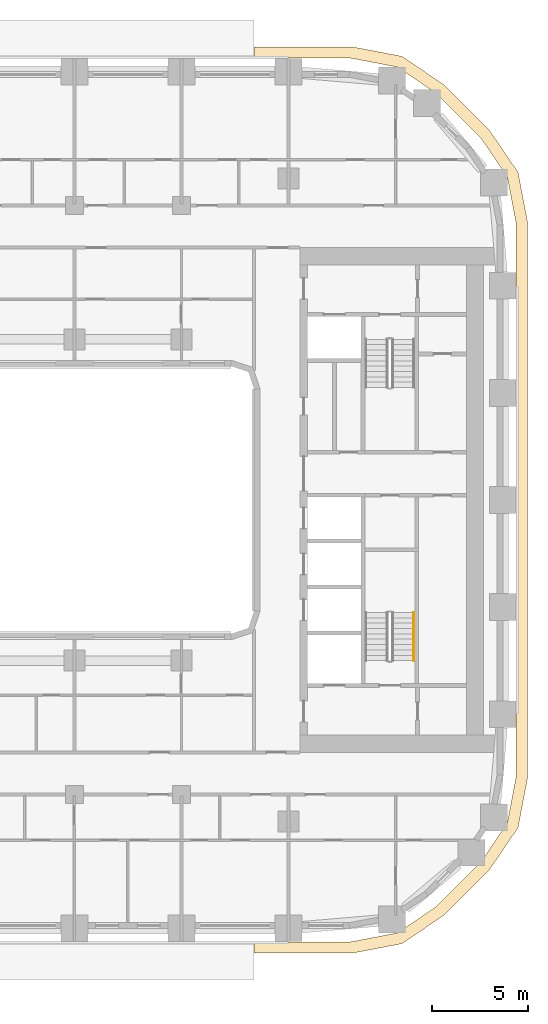
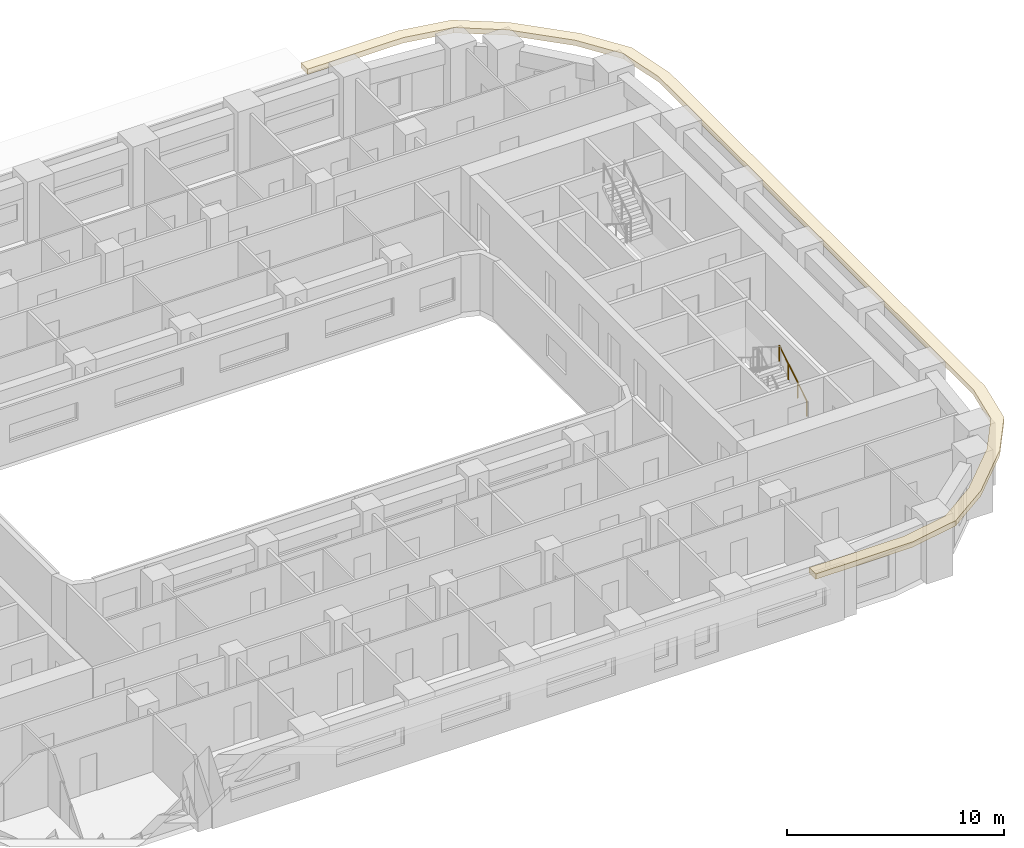
# One storey, part 18 of 22: 1 covering, 1 railing.
"""IFC4 building model written with IfcOpenShell, lengths in metres."""

from ifc_helpers import new_model, si_unit, direction, frame, origin, origin_2d, place, context, subcontext, project, spatial, polyline, circle, outline, extrude, material, layer, layer_set, type_object, element, save


model = new_model("IFC4")

# Units and contexts
model_context = context("Model", 3, precision=1e-05, world=origin(), true_north=direction((0.0, 1.0)))
body_context = subcontext(model_context, "Body", "Model", "MODEL_VIEW")
ifc_project = project(units=[si_unit("LENGTHUNIT", "METRE"), si_unit("AREAUNIT", "SQUARE_METRE"), si_unit("VOLUMEUNIT", "CUBIC_METRE"), si_unit("PLANEANGLEUNIT", "RADIAN"), si_unit("MASSUNIT", "GRAM", prefix="KILO")], contexts=[model_context])

# Site, building, storey
site_placement = place(None, origin())
site = spatial("IfcSite", under=ifc_project, at=site_placement, CompositionType="ELEMENT")
building_placement = place(site_placement, origin())
building = spatial("IfcBuilding", under=site, at=building_placement, Name="Kiln Ring Residences", CompositionType="ELEMENT")
storey_placement = place(building_placement, frame((0.0, 0.0, 65.5)))
storey = spatial("IfcBuildingStorey", under=building, at=storey_placement, Name="L16", CompositionType="ELEMENT", Elevation=65.5)

# Railing
ifc_material_1 = material(Name="Stainless steel", Category="steel")
railing_type = type_object("IfcRailingType", Name="CORE-STAIR-HANDRAIL", PredefinedType="HANDRAIL", material=ifc_material_1)
railing_placement = place(storey_placement, frame((23.35009765625, -8.39990234375, 0.175048828125)))
element("IfcRailing", 1, at=railing_placement, inside=storey, type_object=railing_type, Name="L16 E-STS stair handrail 1", PredefinedType="HANDRAIL", context=body_context, shape_type="SweptSolid", body=[
    extrude(circle(Radius=0.02392578125, at=origin_2d()), frame((0.0, 0.0, 0.8759765625), z_axis=(0.0, 0.848007534815, 0.529984170421), x_axis=(-1.0, 0.0, 0.0)), (0.0, 0.0, 1.0), 2.9716796875),
    extrude(circle(Radius=0.02099609375, at=origin_2d()), origin(), (0.0, 0.0, 1.0), 0.851806640625),
    extrude(circle(Radius=0.02099609375, at=origin_2d()), frame((0.0, 0.840087890625, 0.52490234375)), (0.0, 0.0, 1.0), 0.851806640625),
    extrude(circle(Radius=0.02099609375, at=origin_2d()), frame((0.0, 1.679931640625, 1.050048828125)), (0.0, 0.0, 1.0), 0.851806640625),
    extrude(circle(Radius=0.02099609375, at=origin_2d()), frame((0.0, 2.52001953125, 1.574951171875)), (0.0, 0.0, 1.0), 0.851806640625),
])

# Covering
ifc_material_2 = material(Name="Black powder-coated steel", Category="steel")
ifc_layer = layer(ifc_material_2, 0.300048828125)
ifc_layer_set = layer_set([ifc_layer], Name="SUNSHADE FIN 600")
covering_type = type_object("IfcCoveringType", Name="SUNSHADE FIN 600", PredefinedType="CLADDING", material=ifc_layer_set)
covering_placement = place(storey_placement, frame((0.0, 0.0, 3.199951171875)))
element("IfcCovering", 2, at=covering_placement, inside=storey, type_object=covering_type, Name="SUNSHADE FIN L16", PredefinedType="CLADDING", context=body_context, shape_type="SweptSolid", body=[
    extrude(outline(polyline([(20.122802734375, 23.699951171875), (15.0, 23.699951171875), (15.0, 23.10009765625), (20.066162109375, 23.10009765625), (22.497802734375, 22.63623046875), (24.545166015625, 21.24462890625), (26.8447265625, 18.9453125), (28.236083984375, 16.897705078125), (28.699951171875, 14.46630859375), (28.699951171875, -14.46630859375), (28.236083984375, -16.897705078125), (26.8447265625, -18.9453125), (24.545166015625, -21.24462890625), (22.497802734375, -22.63623046875), (20.066162109375, -23.10009765625), (15.0, -23.10009765625), (15.0, -23.699951171875), (20.122802734375, -23.699951171875), (22.732421875, -23.202392578125), (24.929443359375, -21.708984375), (27.30908203125, -19.329345703125), (28.80224609375, -17.13232421875), (29.300048828125, -14.52294921875), (29.300048828125, 14.52294921875), (28.80224609375, 17.13232421875), (27.30908203125, 19.329345703125), (24.929443359375, 21.708984375), (22.732421875, 23.202392578125), (20.122802734375, 23.699951171875)])), origin(), (0.0, 0.0, 1.0), 0.300048828125),
])

save(model, "model.ifc")
